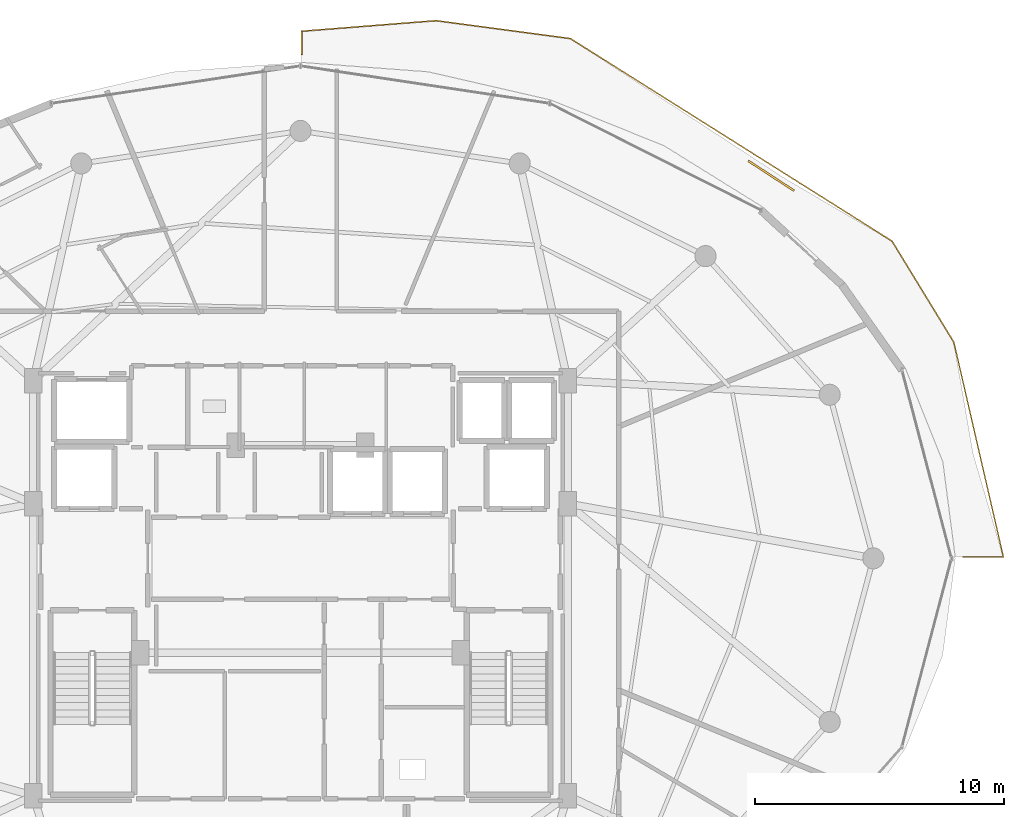
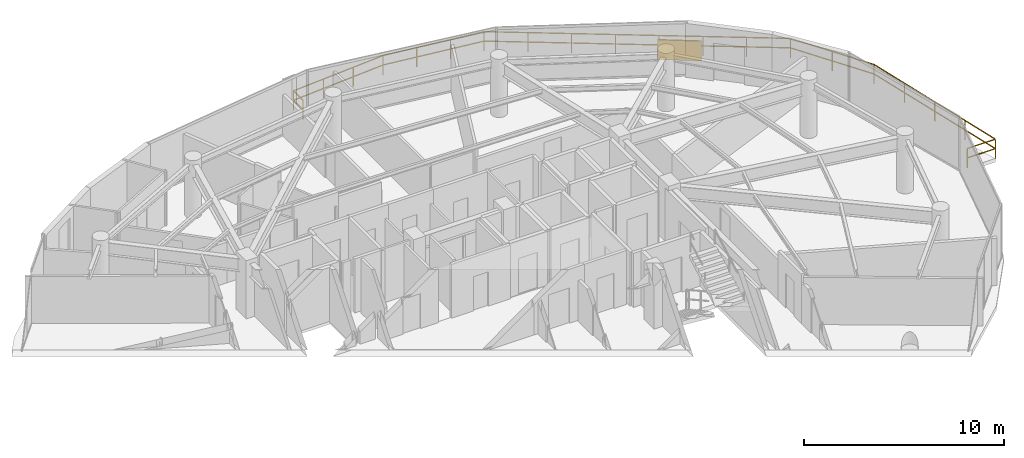
# One storey, part 30 of 31: 2 railings, 1 shading device.
"""IFC4 building model written with IfcOpenShell, lengths in metres."""

from ifc_helpers import new_model, si_unit, direction, frame, origin, origin_2d, place, context, subcontext, project, spatial, rectangle, extrude, material, type_object, element, save


model = new_model("IFC4")

# Units and contexts
model_context = context("Model", 3, precision=1e-05, world=origin(), true_north=direction((0.0, 1.0)))
body_context = subcontext(model_context, "Body", "Model", "MODEL_VIEW")
ifc_project = project(units=[si_unit("LENGTHUNIT", "METRE"), si_unit("AREAUNIT", "SQUARE_METRE"), si_unit("VOLUMEUNIT", "CUBIC_METRE"), si_unit("PLANEANGLEUNIT", "RADIAN"), si_unit("MASSUNIT", "GRAM", prefix="KILO")], contexts=[model_context])

# Site, building, storey
site_placement = place(None, origin())
site = spatial("IfcSite", under=ifc_project, at=site_placement, CompositionType="ELEMENT")
building_placement = place(site_placement, origin())
building = spatial("IfcBuilding", under=site, at=building_placement, Name="Vorneva Point Tower", CompositionType="ELEMENT")
storey_placement = place(building_placement, frame((0.0, 0.0, 244.89990234375)))
storey = spatial("IfcBuildingStorey", under=building, at=storey_placement, Name="L66", CompositionType="ELEMENT", Elevation=244.89990234375)

# Railings
ifc_material = material(Name="Pale anodised aluminium", Category="aluminium")
railing_type = type_object("IfcRailingType", Name="RL-BAL-1200", PredefinedType="BALUSTRADE", material=ifc_material)
railing_1_placement = place(storey_placement, frame((38.050048828125, 47.2138671875, 0.0)))
element("IfcRailing", 1, at=railing_1_placement, inside=storey, type_object=railing_type, Name="L66 Wave Balcony Balustrade NE.1", PredefinedType="BALUSTRADE", context=body_context, shape_type="SweptSolid", body=[
    extrude(rectangle(XDim=0.048095703125, YDim=0.048095703125, at=origin_2d()), frame((0.0, 0.0, 1.17578125), z_axis=(0.0, -1.0, 0.0), x_axis=(1.0, 0.0, 0.0)), (0.0, 0.0, 1.0), 0.936767578125),
    extrude(rectangle(XDim=0.048095703125, YDim=0.048095703125, at=origin_2d()), frame((0.0, 0.0, 0.60009765625), z_axis=(0.0, -1.0, 0.0), x_axis=(1.0, 0.0, 0.0)), (0.0, 0.0, 1.0), 0.936767578125),
    extrude(rectangle(XDim=0.0419921875, YDim=0.0419921875, at=origin_2d()), origin(), (0.0, 0.0, 1.0), 1.15185546875),
    extrude(rectangle(XDim=0.0419921875, YDim=0.0419921875, at=origin_2d()), frame((0.0, -0.936767578125, 0.0)), (0.0, 0.0, 1.0), 1.15185546875),
])
railing_2_placement = place(storey_placement, frame((64.666259765625, 26.050048828125, 0.0)))
element("IfcRailing", 2, at=railing_2_placement, inside=storey, type_object=railing_type, Name="L66 Wave Balcony Balustrade NE.2", PredefinedType="BALUSTRADE", context=body_context, shape_type="SweptSolid", body=[
    extrude(rectangle(XDim=0.048095703125, YDim=0.048095703125, at=origin_2d()), frame((0.0, 0.0, 1.17578125), z_axis=(1.0, 0.0, 0.0), x_axis=(0.0, 1.0, 0.0)), (0.0, 0.0, 1.0), 1.619140625),
    extrude(rectangle(XDim=0.048095703125, YDim=0.048095703125, at=origin_2d()), frame((0.0, 0.0, 0.60009765625), z_axis=(1.0, 0.0, 0.0), x_axis=(0.0, 1.0, 0.0)), (0.0, 0.0, 1.0), 1.619140625),
    extrude(rectangle(XDim=0.048095703125, YDim=0.048095703125, at=origin_2d()), frame((1.619140625, 0.0, 1.17578125), z_axis=(-0.224690824874, 0.974430106892, 0.0), x_axis=(-0.974430106892, -0.224690824874, 0.0)), (0.0, 0.0, 1.0), 8.87939453125),
    extrude(rectangle(XDim=0.048095703125, YDim=0.048095703125, at=origin_2d()), frame((1.619140625, 0.0, 0.60009765625), z_axis=(-0.224690824874, 0.974430106892, 0.0), x_axis=(-0.974430106892, -0.224690824874, 0.0)), (0.0, 0.0, 1.0), 8.87939453125),
    extrude(rectangle(XDim=0.048095703125, YDim=0.048095703125, at=origin_2d()), frame((-0.3759765625, 8.65234375, 1.17578125), z_axis=(-0.52144793487, 0.85328310145, 0.0), x_axis=(-0.85328310145, -0.52144793487, 0.0)), (0.0, 0.0, 1.0), 4.76025390625),
    extrude(rectangle(XDim=0.048095703125, YDim=0.048095703125, at=origin_2d()), frame((-0.3759765625, 8.65234375, 0.60009765625), z_axis=(-0.52144793487, 0.85328310145, 0.0), x_axis=(-0.85328310145, -0.52144793487, 0.0)), (0.0, 0.0, 1.0), 4.76025390625),
    extrude(rectangle(XDim=0.048095703125, YDim=0.048095703125, at=origin_2d()), frame((-2.858154296875, 12.714111328125, 1.17578125), z_axis=(-0.8461672852, 0.532917372073, 0.0), x_axis=(-0.532917372073, -0.8461672852, 0.0)), (0.0, 0.0, 1.0), 15.30078125),
    extrude(rectangle(XDim=0.048095703125, YDim=0.048095703125, at=origin_2d()), frame((-2.858154296875, 12.714111328125, 0.60009765625), z_axis=(-0.8461672852, 0.532917372073, 0.0), x_axis=(-0.532917372073, -0.8461672852, 0.0)), (0.0, 0.0, 1.0), 15.30078125),
    extrude(rectangle(XDim=0.048095703125, YDim=0.048095703125, at=origin_2d()), frame((-15.80517578125, 20.8681640625, 1.17578125), z_axis=(-0.991224384092, 0.13219009184, 0.0), x_axis=(-0.13219009184, -0.991224384092, 0.0)), (0.0, 0.0, 1.0), 5.45751953125),
    extrude(rectangle(XDim=0.048095703125, YDim=0.048095703125, at=origin_2d()), frame((-15.80517578125, 20.8681640625, 0.60009765625), z_axis=(-0.991224384092, 0.13219009184, 0.0), x_axis=(-0.13219009184, -0.991224384092, 0.0)), (0.0, 0.0, 1.0), 5.45751953125),
    extrude(rectangle(XDim=0.048095703125, YDim=0.048095703125, at=origin_2d()), frame((-21.21484375, 21.589599609375, 1.17578125), z_axis=(-0.996907445198, -0.07858464041, 0.0), x_axis=(0.07858464041, -0.996907445198, 0.0)), (0.0, 0.0, 1.0), 5.418212890625),
    extrude(rectangle(XDim=0.048095703125, YDim=0.048095703125, at=origin_2d()), frame((-21.21484375, 21.589599609375, 0.60009765625), z_axis=(-0.996907445198, -0.07858464041, 0.0), x_axis=(0.07858464041, -0.996907445198, 0.0)), (0.0, 0.0, 1.0), 5.418212890625),
    extrude(rectangle(XDim=0.0419921875, YDim=0.0419921875, at=origin_2d()), origin(), (0.0, 0.0, 1.0), 1.15185546875),
    extrude(rectangle(XDim=0.0419921875, YDim=0.0419921875, at=origin_2d()), frame((1.619140625, 0.0, 0.0)), (0.0, 0.0, 1.0), 1.15185546875),
    extrude(rectangle(XDim=0.0419921875, YDim=0.0419921875, at=origin_2d()), frame((1.120361328125, 2.1630859375, 0.0)), (0.0, 0.0, 1.0), 1.15185546875),
    extrude(rectangle(XDim=0.0419921875, YDim=0.0419921875, at=origin_2d()), frame((0.62158203125, 4.326171875, 0.0)), (0.0, 0.0, 1.0), 1.15185546875),
    extrude(rectangle(XDim=0.0419921875, YDim=0.0419921875, at=origin_2d()), frame((0.122802734375, 6.4892578125, 0.0)), (0.0, 0.0, 1.0), 1.15185546875),
    extrude(rectangle(XDim=0.0419921875, YDim=0.0419921875, at=origin_2d()), frame((-0.3759765625, 8.65234375, 0.0)), (0.0, 0.0, 1.0), 1.15185546875),
    extrude(rectangle(XDim=0.0419921875, YDim=0.0419921875, at=origin_2d()), frame((-1.6171875, 10.68310546875, 0.0)), (0.0, 0.0, 1.0), 1.15185546875),
    extrude(rectangle(XDim=0.0419921875, YDim=0.0419921875, at=origin_2d()), frame((-2.858154296875, 12.714111328125, 0.0)), (0.0, 0.0, 1.0), 1.15185546875),
    extrude(rectangle(XDim=0.0419921875, YDim=0.0419921875, at=origin_2d()), frame((-4.707763671875, 13.87890625, 0.0)), (0.0, 0.0, 1.0), 1.15185546875),
    extrude(rectangle(XDim=0.0419921875, YDim=0.0419921875, at=origin_2d()), frame((-6.557373046875, 15.0439453125, 0.0)), (0.0, 0.0, 1.0), 1.15185546875),
    extrude(rectangle(XDim=0.0419921875, YDim=0.0419921875, at=origin_2d()), frame((-8.406982421875, 16.208740234375, 0.0)), (0.0, 0.0, 1.0), 1.15185546875),
    extrude(rectangle(XDim=0.0419921875, YDim=0.0419921875, at=origin_2d()), frame((-10.25634765625, 17.37353515625, 0.0)), (0.0, 0.0, 1.0), 1.15185546875),
    extrude(rectangle(XDim=0.0419921875, YDim=0.0419921875, at=origin_2d()), frame((-12.10595703125, 18.538330078125, 0.0)), (0.0, 0.0, 1.0), 1.15185546875),
    extrude(rectangle(XDim=0.0419921875, YDim=0.0419921875, at=origin_2d()), frame((-13.95556640625, 19.703369140625, 0.0)), (0.0, 0.0, 1.0), 1.15185546875),
    extrude(rectangle(XDim=0.0419921875, YDim=0.0419921875, at=origin_2d()), frame((-15.80517578125, 20.8681640625, 0.0)), (0.0, 0.0, 1.0), 1.15185546875),
    extrude(rectangle(XDim=0.0419921875, YDim=0.0419921875, at=origin_2d()), frame((-17.6083984375, 21.108642578125, 0.0)), (0.0, 0.0, 1.0), 1.15185546875),
    extrude(rectangle(XDim=0.0419921875, YDim=0.0419921875, at=origin_2d()), frame((-19.41162109375, 21.34912109375, 0.0)), (0.0, 0.0, 1.0), 1.15185546875),
    extrude(rectangle(XDim=0.0419921875, YDim=0.0419921875, at=origin_2d()), frame((-21.21484375, 21.589599609375, 0.0)), (0.0, 0.0, 1.0), 1.15185546875),
    extrude(rectangle(XDim=0.0419921875, YDim=0.0419921875, at=origin_2d()), frame((-23.015380859375, 21.44775390625, 0.0)), (0.0, 0.0, 1.0), 1.15185546875),
    extrude(rectangle(XDim=0.0419921875, YDim=0.0419921875, at=origin_2d()), frame((-24.815673828125, 21.3056640625, 0.0)), (0.0, 0.0, 1.0), 1.15185546875),
    extrude(rectangle(XDim=0.0419921875, YDim=0.0419921875, at=origin_2d()), frame((-26.6162109375, 21.163818359375, 0.0)), (0.0, 0.0, 1.0), 1.15185546875),
])

# Shading device
shading_device_type = type_object("IfcShadingDeviceType", Name="SHD-JAL-1200", PredefinedType="JALOUSIE", material=ifc_material)
shading_device_placement = place(storey_placement, frame((56.940185546875, 41.3955078125, -0.02001953125), z_axis=(0.0, 0.0, 1.0), x_axis=(-0.837794958672, 0.545984988093, 0.0)))
element("IfcShadingDevice", 3, at=shading_device_placement, inside=storey, type_object=shading_device_type, Name="L66 Balcony Vertical-Greenery Planter Screen NE.2", PredefinedType="JALOUSIE", context=body_context, shape_type="SweptSolid", body=[
    extrude(rectangle(XDim=2.199951171875, YDim=0.080078125, at=origin_2d()), origin(), (0.0, 0.0, 1.0), 1.199951171875),
])

save(model, "model.ifc")
